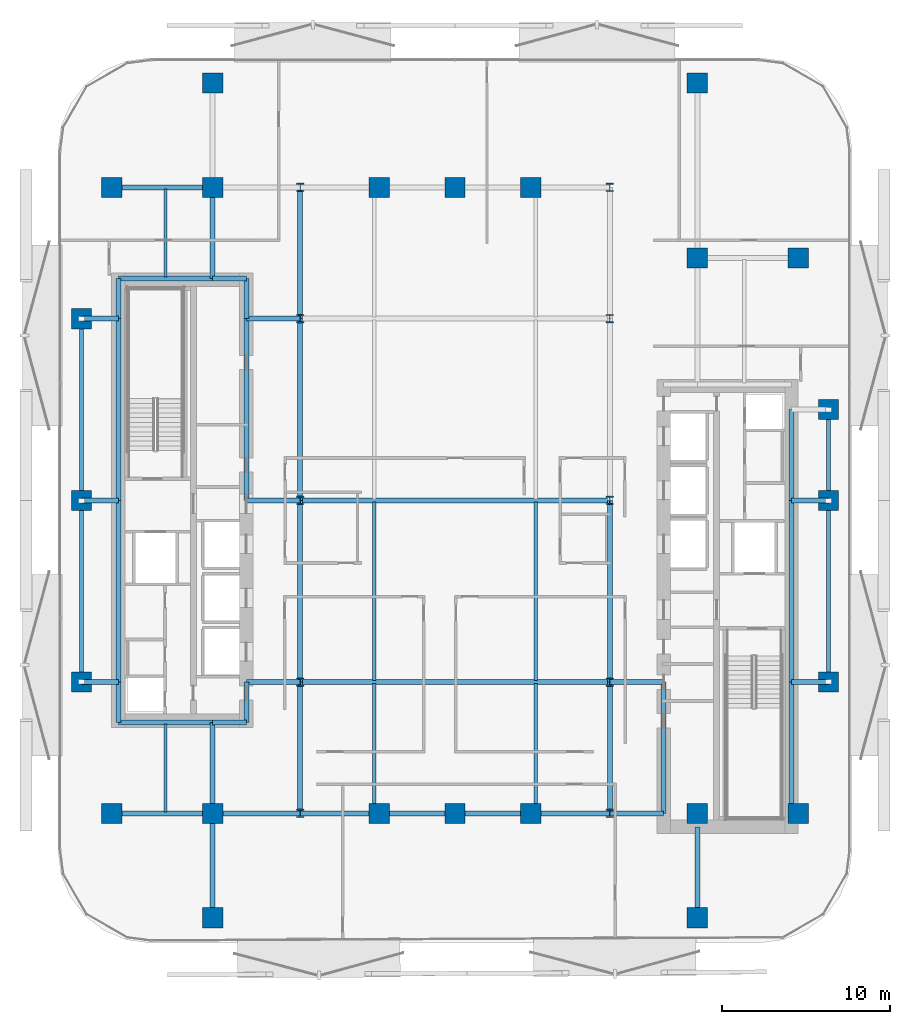
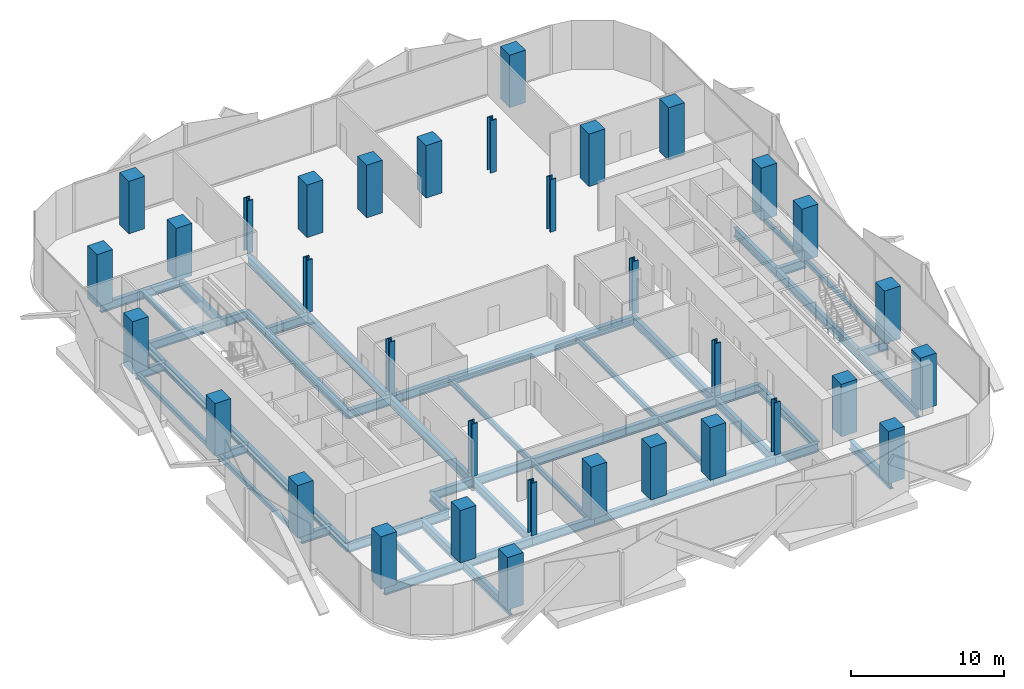
# One storey, part 1 of 15: 54 beams, 34 columns.
"""IFC4 building model written with IfcOpenShell, lengths in metres."""

from ifc_helpers import new_model, si_unit, direction, frame, origin, origin_2d, place, context, subcontext, project, spatial, rectangle, hollow_rectangle, i_section, extrude, material, material_profile, profile_set, type_object, element, save


model = new_model("IFC4")

# Units and contexts
model_context = context("Model", 3, precision=1e-05, world=origin(), true_north=direction((0.0, 1.0)))
body_context = subcontext(model_context, "Body", "Model", "MODEL_VIEW")
ifc_project = project(units=[si_unit("LENGTHUNIT", "METRE"), si_unit("AREAUNIT", "SQUARE_METRE"), si_unit("VOLUMEUNIT", "CUBIC_METRE"), si_unit("PLANEANGLEUNIT", "RADIAN"), si_unit("MASSUNIT", "GRAM", prefix="KILO")], contexts=[model_context])

# Site, building, storey
site_placement = place(None, origin())
site = spatial("IfcSite", under=ifc_project, at=site_placement, CompositionType="ELEMENT")
building_placement = place(site_placement, origin())
building = spatial("IfcBuilding", under=site, at=building_placement, Name="Khairoan Windgate Tower", CompositionType="ELEMENT")
storey_placement = place(building_placement, frame((0.0, 0.0, 131.0)))
storey = spatial("IfcBuildingStorey", under=building, at=storey_placement, Name="L30", CompositionType="ELEMENT", Elevation=131.0)

# Columns
ifc_material_1 = material(Name="Concrete C60/75", Category="concrete")
ifc_material_profile_1 = material_profile(ifc_material_1, rectangle(XDim=1.199951171875, YDim=1.199951171875, at=origin_2d()))
ifc_profile_set_1 = profile_set([ifc_material_profile_1], Name="Concrete C60/75")
column_type_1 = type_object("IfcColumnType", Name="Column C-T3 RC1200x1200", PredefinedType="COLUMN", material=ifc_profile_set_1)
for number, where, z_axis, x_axis, name in (
    (1, (-20.39990234375, -18.60009765625, 0.0), (0.0, 0.0, 1.0), (1.0, 0.0, 0.0), "Column L30-11"),
    (2, (-20.39990234375, 18.60009765625, 0.0), (0.0, 0.0, 1.0), (1.0, 0.0, 0.0), "Column L30-12"),
    (3, (20.39990234375, -18.60009765625, 0.0), (0.0, 0.0, 1.0), (1.0, 0.0, 0.0), "Column L30-13"),
    (4, (20.39990234375, 14.39990234375, 0.0), (0.0, 0.0, 1.0), (1.0, 0.0, 0.0), "Column L30-14"),
    (5, (-14.39990234375, -18.60009765625, 0.0), (0.0, 0.0, 1.0), (1.0, 0.0, 0.0), "Column L30-15"),
    (6, (-14.39990234375, 18.60009765625, 0.0), (0.0, 0.0, 1.0), (1.0, 0.0, 0.0), "Column L30-16"),
    (7, (14.39990234375, -18.60009765625, 0.0), (0.0, 0.0, 1.0), (1.0, 0.0, 0.0), "Column L30-17"),
    (8, (14.39990234375, 14.39990234375, 0.0), (0.0, 0.0, 1.0), (1.0, 0.0, 0.0), "Column L30-18"),
    (9, (-4.5, -18.60009765625, 0.0), (0.0, 0.0, 1.0), (1.0, 0.0, 0.0), "Column L30-19"),
    (10, (0.0, -18.60009765625, 0.0), (0.0, 0.0, 1.0), (1.0, 0.0, 0.0), "Column L30-20"),
    (11, (4.5, -18.60009765625, 0.0), (0.0, 0.0, 1.0), (1.0, 0.0, 0.0), "Column L30-21"),
    (12, (-4.5, 18.60009765625, 0.0), (0.0, 0.0, 1.0), (1.0, 0.0, 0.0), "Column L30-22"),
    (13, (0.0, 18.60009765625, 0.0), (0.0, 0.0, 1.0), (1.0, 0.0, 0.0), "Column L30-23"),
    (14, (4.5, 18.60009765625, 0.0), (0.0, 0.0, 1.0), (1.0, 0.0, 0.0), "Column L30-24"),
    (15, (-22.199951171875, -10.800048828125, 0.0), (0.0, 0.0, 1.0), (1.0, 0.0, 0.0), "Column L30-25"),
    (16, (-22.199951171875, 0.0, 0.0), (0.0, 0.0, 1.0), (1.0, 0.0, 0.0), "Column L30-26"),
    (17, (-22.199951171875, 10.800048828125, 0.0), (0.0, 0.0, 1.0), (1.0, 0.0, 0.0), "Column L30-27"),
    (18, (22.199951171875, -10.800048828125, 0.0), (0.0, 0.0, 1.0), (1.0, 0.0, 0.0), "Column L30-28"),
    (19, (22.199951171875, 0.0, 0.0), (0.0, 0.0, 1.0), (1.0, 0.0, 0.0), "Column L30-29"),
    (20, (22.199951171875, 5.39990234375, 0.0), (0.0, 0.0, 1.0), (1.0, 0.0, 0.0), "Column L30-30"),
    (21, (-14.39990234375, -24.800048828125, 0.0), (0.0, 0.0, 1.0), (1.0, 0.0, 0.0), "Column L30-31"),
    (22, (-14.39990234375, 24.800048828125, 0.0), (0.0, 0.0, 1.0), (1.0, 0.0, 0.0), "Column L30-32"),
    (23, (14.39990234375, -24.800048828125, 0.0), (0.0, 0.0, 1.0), (1.0, 0.0, 0.0), "Column L30-33"),
    (24, (14.39990234375, 24.800048828125, 0.0), (0.0, 0.0, 1.0), (1.0, 0.0, 0.0), "Column L30-34"),
):
    element("IfcColumn", number, at=place(storey_placement, frame(where, z_axis=z_axis, x_axis=x_axis)), inside=storey, type_object=column_type_1, Name=name, PredefinedType="COLUMN", context=body_context, shape_type="SweptSolid", body=[
        extrude(rectangle(XDim=1.199951171875, YDim=1.199951171875, at=origin_2d()), origin(), (0.0, 0.0, 1.0), 4.199951171875),
    ])
ifc_material_2 = material(Name="Steel S355", Category="steel")
ifc_material_profile_2 = material_profile(ifc_material_2, i_section(OverallWidth=0.431884765625, OverallDepth=0.498046875, WebThickness=0.044921875, FlangeThickness=0.070068359375, FilletRadius=0.02197265625, at=origin_2d()))
ifc_profile_set_2 = profile_set([ifc_material_profile_2], Name="Steel S355")
column_type_2 = type_object("IfcColumnType", Name="Steel Column SC1 H498x432x45x70", PredefinedType="COLUMN", material=ifc_profile_set_2)
for number, where, z_axis, x_axis, name in (
    (25, (-9.199951171875, -18.60009765625, 0.0), (0.0, 0.0, 1.0), (1.0, 0.0, 0.0), "Column L30-01"),
    (26, (-9.199951171875, -10.800048828125, 0.0), (0.0, 0.0, 1.0), (1.0, 0.0, 0.0), "Column L30-02"),
    (27, (-9.199951171875, 0.0, 0.0), (0.0, 0.0, 1.0), (1.0, 0.0, 0.0), "Column L30-03"),
    (28, (-9.199951171875, 10.800048828125, 0.0), (0.0, 0.0, 1.0), (1.0, 0.0, 0.0), "Column L30-04"),
    (29, (-9.199951171875, 18.60009765625, 0.0), (0.0, 0.0, 1.0), (1.0, 0.0, 0.0), "Column L30-05"),
    (30, (9.199951171875, -18.60009765625, 0.0), (0.0, 0.0, 1.0), (1.0, 0.0, 0.0), "Column L30-06"),
    (31, (9.199951171875, -10.800048828125, 0.0), (0.0, 0.0, 1.0), (1.0, 0.0, 0.0), "Column L30-07"),
    (32, (9.199951171875, 0.0, 0.0), (0.0, 0.0, 1.0), (1.0, 0.0, 0.0), "Column L30-08"),
    (33, (9.199951171875, 10.800048828125, 0.0), (0.0, 0.0, 1.0), (1.0, 0.0, 0.0), "Column L30-09"),
    (34, (9.199951171875, 18.60009765625, 0.0), (0.0, 0.0, 1.0), (1.0, 0.0, 0.0), "Column L30-10"),
):
    element("IfcColumn", number, at=place(storey_placement, frame(where, z_axis=z_axis, x_axis=x_axis)), inside=storey, type_object=column_type_2, Name=name, PredefinedType="COLUMN", context=body_context, shape_type="SweptSolid", body=[
        extrude(i_section(OverallWidth=0.431884765625, OverallDepth=0.498046875, WebThickness=0.044921875, FlangeThickness=0.070068359375, FilletRadius=0.02197265625, at=origin_2d()), origin(), (0.0, 0.0, 1.0), 4.199951171875),
    ])

# Beams
ifc_material_3 = material(Name="Steel S355", Category="steel")
ifc_material_profile_3 = material_profile(ifc_material_3, i_section(OverallWidth=0.300048828125, OverallDepth=0.699951171875, WebThickness=0.012939453125, FlangeThickness=0.02392578125, FilletRadius=0.02587890625, at=origin_2d()))
ifc_profile_set_3 = profile_set([ifc_material_profile_3], Name="Steel S355")
beam_type_1 = type_object("IfcBeamType", Name="Beam B-G3 H700x300x13x24", PredefinedType="BEAM", material=ifc_profile_set_3)
beam_1_placement = place(storey_placement, frame((-20.39990234375, -18.60009765625, -0.610107421875), z_axis=(1.0, 0.0, 0.0), x_axis=(0.0, 1.0, 0.0)))
element("IfcBeam", 35, at=beam_1_placement, inside=storey, type_object=beam_type_1, Name="L30 E-W Primary Girder 01", PredefinedType="BEAM", context=body_context, shape_type="SweptSolid", body=[
    extrude(i_section(OverallWidth=0.300048828125, OverallDepth=0.699951171875, WebThickness=0.012939453125, FlangeThickness=0.02392578125, FilletRadius=0.02587890625, at=origin_2d()), origin(), (0.0, 0.0, 1.0), 6.0),
])
beam_2_placement = place(storey_placement, frame((-14.39990234375, -18.60009765625, -0.610107421875), z_axis=(1.0, 0.0, 0.0), x_axis=(0.0, 1.0, 0.0)))
element("IfcBeam", 36, at=beam_2_placement, inside=storey, type_object=beam_type_1, Name="L30 E-W Primary Girder 02", PredefinedType="BEAM", context=body_context, shape_type="SweptSolid", body=[
    extrude(i_section(OverallWidth=0.300048828125, OverallDepth=0.699951171875, WebThickness=0.012939453125, FlangeThickness=0.02392578125, FilletRadius=0.02587890625, at=origin_2d()), origin(), (0.0, 0.0, 1.0), 5.199951171875),
])
beam_3_placement = place(storey_placement, frame((-9.199951171875, -18.60009765625, -0.610107421875), z_axis=(1.0, 0.0, 0.0), x_axis=(0.0, 1.0, 0.0)))
element("IfcBeam", 37, at=beam_3_placement, inside=storey, type_object=beam_type_1, Name="L30 E-W Primary Girder 03", PredefinedType="BEAM", context=body_context, shape_type="SweptSolid", body=[
    extrude(i_section(OverallWidth=0.300048828125, OverallDepth=0.699951171875, WebThickness=0.012939453125, FlangeThickness=0.02392578125, FilletRadius=0.02587890625, at=origin_2d()), origin(), (0.0, 0.0, 1.0), 4.699951171875),
])
for number, where, z_axis, x_axis, name in (
    (38, (-4.5, -18.60009765625, -0.610107421875), (1.0, 0.0, 0.0), (0.0, 1.0, 0.0), "L30 E-W Primary Girder 04"),
    (39, (0.0, -18.60009765625, -0.610107421875), (1.0, 0.0, 0.0), (0.0, 1.0, 0.0), "L30 E-W Primary Girder 05"),
):
    element("IfcBeam", number, at=place(storey_placement, frame(where, z_axis=z_axis, x_axis=x_axis)), inside=storey, type_object=beam_type_1, Name=name, PredefinedType="BEAM", context=body_context, shape_type="SweptSolid", body=[
        extrude(i_section(OverallWidth=0.300048828125, OverallDepth=0.699951171875, WebThickness=0.012939453125, FlangeThickness=0.02392578125, FilletRadius=0.02587890625, at=origin_2d()), origin(), (0.0, 0.0, 1.0), 4.5),
    ])
beam_4_placement = place(storey_placement, frame((4.5, -18.60009765625, -0.610107421875), z_axis=(1.0, 0.0, 0.0), x_axis=(0.0, 1.0, 0.0)))
element("IfcBeam", 40, at=beam_4_placement, inside=storey, type_object=beam_type_1, Name="L30 E-W Primary Girder 06", PredefinedType="BEAM", context=body_context, shape_type="SweptSolid", body=[
    extrude(i_section(OverallWidth=0.300048828125, OverallDepth=0.699951171875, WebThickness=0.012939453125, FlangeThickness=0.02392578125, FilletRadius=0.02587890625, at=origin_2d()), origin(), (0.0, 0.0, 1.0), 4.699951171875),
])
beam_5_placement = place(storey_placement, frame((9.199951171875, -18.60009765625, -0.610107421875), z_axis=(1.0, 0.0, 0.0), x_axis=(0.0, 1.0, 0.0)))
element("IfcBeam", 41, at=beam_5_placement, inside=storey, type_object=beam_type_1, Name="L30 E-W Primary Girder 07", PredefinedType="BEAM", context=body_context, shape_type="SweptSolid", body=[
    extrude(i_section(OverallWidth=0.300048828125, OverallDepth=0.699951171875, WebThickness=0.012939453125, FlangeThickness=0.02392578125, FilletRadius=0.02587890625, at=origin_2d()), origin(), (0.0, 0.0, 1.0), 3.199951171875),
])
beam_6_placement = place(storey_placement, frame((-20.0, -13.199951171875, -0.610107421875), z_axis=(1.0, 0.0, 0.0), x_axis=(0.0, 1.0, 0.0)))
element("IfcBeam", 42, at=beam_6_placement, inside=storey, type_object=beam_type_1, Name="L30 E-W Primary Girder 08", PredefinedType="BEAM", context=body_context, shape_type="SweptSolid", body=[
    extrude(i_section(OverallWidth=0.300048828125, OverallDepth=0.699951171875, WebThickness=0.012939453125, FlangeThickness=0.02392578125, FilletRadius=0.02587890625, at=origin_2d()), origin(), (0.0, 0.0, 1.0), 5.60009765625),
])
beam_7_placement = place(storey_placement, frame((-14.39990234375, -13.199951171875, -0.610107421875), z_axis=(1.0, 0.0, 0.0), x_axis=(0.0, 1.0, 0.0)))
element("IfcBeam", 43, at=beam_7_placement, inside=storey, type_object=beam_type_1, Name="L30 E-W Primary Girder 09", PredefinedType="BEAM", context=body_context, shape_type="SweptSolid", body=[
    extrude(i_section(OverallWidth=0.300048828125, OverallDepth=0.699951171875, WebThickness=0.012939453125, FlangeThickness=0.02392578125, FilletRadius=0.02587890625, at=origin_2d()), origin(), (0.0, 0.0, 1.0), 2.0),
])
beam_8_placement = place(storey_placement, frame((-22.199951171875, -10.800048828125, -0.610107421875), z_axis=(1.0, 0.0, 0.0), x_axis=(0.0, 1.0, 0.0)))
element("IfcBeam", 44, at=beam_8_placement, inside=storey, type_object=beam_type_1, Name="L30 E-W Primary Girder 10", PredefinedType="BEAM", context=body_context, shape_type="SweptSolid", body=[
    extrude(i_section(OverallWidth=0.300048828125, OverallDepth=0.699951171875, WebThickness=0.012939453125, FlangeThickness=0.02392578125, FilletRadius=0.02587890625, at=origin_2d()), origin(), (0.0, 0.0, 1.0), 2.199951171875),
])
beam_9_placement = place(storey_placement, frame((-12.39990234375, -10.800048828125, -0.610107421875), z_axis=(1.0, 0.0, 0.0), x_axis=(0.0, 1.0, 0.0)))
element("IfcBeam", 45, at=beam_9_placement, inside=storey, type_object=beam_type_1, Name="L30 E-W Primary Girder 11", PredefinedType="BEAM", context=body_context, shape_type="SweptSolid", body=[
    extrude(i_section(OverallWidth=0.300048828125, OverallDepth=0.699951171875, WebThickness=0.012939453125, FlangeThickness=0.02392578125, FilletRadius=0.02587890625, at=origin_2d()), origin(), (0.0, 0.0, 1.0), 3.199951171875),
])
beam_10_placement = place(storey_placement, frame((-9.199951171875, -10.800048828125, -0.610107421875), z_axis=(1.0, 0.0, 0.0), x_axis=(0.0, 1.0, 0.0)))
element("IfcBeam", 46, at=beam_10_placement, inside=storey, type_object=beam_type_1, Name="L30 E-W Primary Girder 12", PredefinedType="BEAM", context=body_context, shape_type="SweptSolid", body=[
    extrude(i_section(OverallWidth=0.300048828125, OverallDepth=0.699951171875, WebThickness=0.012939453125, FlangeThickness=0.02392578125, FilletRadius=0.02587890625, at=origin_2d()), origin(), (0.0, 0.0, 1.0), 18.39990234375),
])
beam_11_placement = place(storey_placement, frame((9.199951171875, -10.800048828125, -0.610107421875), z_axis=(1.0, 0.0, 0.0), x_axis=(0.0, 1.0, 0.0)))
element("IfcBeam", 47, at=beam_11_placement, inside=storey, type_object=beam_type_1, Name="L30 E-W Primary Girder 13", PredefinedType="BEAM", context=body_context, shape_type="SweptSolid", body=[
    extrude(i_section(OverallWidth=0.300048828125, OverallDepth=0.699951171875, WebThickness=0.012939453125, FlangeThickness=0.02392578125, FilletRadius=0.02587890625, at=origin_2d()), origin(), (0.0, 0.0, 1.0), 3.199951171875),
])
for number, where, z_axis, x_axis, name in (
    (48, (20.0, -10.800048828125, -0.610107421875), (1.0, 0.0, 0.0), (0.0, 1.0, 0.0), "L30 E-W Primary Girder 14"),
    (49, (-22.199951171875, 0.0, -0.610107421875), (1.0, 0.0, 0.0), (0.0, 1.0, 0.0), "L30 E-W Primary Girder 15"),
):
    element("IfcBeam", number, at=place(storey_placement, frame(where, z_axis=z_axis, x_axis=x_axis)), inside=storey, type_object=beam_type_1, Name=name, PredefinedType="BEAM", context=body_context, shape_type="SweptSolid", body=[
        extrude(i_section(OverallWidth=0.300048828125, OverallDepth=0.699951171875, WebThickness=0.012939453125, FlangeThickness=0.02392578125, FilletRadius=0.02587890625, at=origin_2d()), origin(), (0.0, 0.0, 1.0), 2.199951171875),
    ])
beam_12_placement = place(storey_placement, frame((-12.39990234375, 0.0, -0.610107421875), z_axis=(1.0, 0.0, 0.0), x_axis=(0.0, 1.0, 0.0)))
element("IfcBeam", 50, at=beam_12_placement, inside=storey, type_object=beam_type_1, Name="L30 E-W Primary Girder 16", PredefinedType="BEAM", context=body_context, shape_type="SweptSolid", body=[
    extrude(i_section(OverallWidth=0.300048828125, OverallDepth=0.699951171875, WebThickness=0.012939453125, FlangeThickness=0.02392578125, FilletRadius=0.02587890625, at=origin_2d()), origin(), (0.0, 0.0, 1.0), 3.199951171875),
])
beam_13_placement = place(storey_placement, frame((-9.199951171875, 0.0, -0.610107421875), z_axis=(1.0, 0.0, 0.0), x_axis=(0.0, 1.0, 0.0)))
element("IfcBeam", 51, at=beam_13_placement, inside=storey, type_object=beam_type_1, Name="L30 E-W Primary Girder 17", PredefinedType="BEAM", context=body_context, shape_type="SweptSolid", body=[
    extrude(i_section(OverallWidth=0.300048828125, OverallDepth=0.699951171875, WebThickness=0.012939453125, FlangeThickness=0.02392578125, FilletRadius=0.02587890625, at=origin_2d()), origin(), (0.0, 0.0, 1.0), 18.39990234375),
])
for number, where, z_axis, x_axis, name in (
    (52, (20.0, 0.0, -0.610107421875), (1.0, 0.0, 0.0), (0.0, 1.0, 0.0), "L30 E-W Primary Girder 18"),
    (53, (-22.199951171875, 10.800048828125, -0.610107421875), (1.0, 0.0, 0.0), (0.0, 1.0, 0.0), "L30 E-W Primary Girder 22"),
):
    element("IfcBeam", number, at=place(storey_placement, frame(where, z_axis=z_axis, x_axis=x_axis)), inside=storey, type_object=beam_type_1, Name=name, PredefinedType="BEAM", context=body_context, shape_type="SweptSolid", body=[
        extrude(i_section(OverallWidth=0.300048828125, OverallDepth=0.699951171875, WebThickness=0.012939453125, FlangeThickness=0.02392578125, FilletRadius=0.02587890625, at=origin_2d()), origin(), (0.0, 0.0, 1.0), 2.199951171875),
    ])
beam_14_placement = place(storey_placement, frame((-12.39990234375, 10.800048828125, -0.610107421875), z_axis=(1.0, 0.0, 0.0), x_axis=(0.0, 1.0, 0.0)))
element("IfcBeam", 54, at=beam_14_placement, inside=storey, type_object=beam_type_1, Name="L30 E-W Primary Girder 23", PredefinedType="BEAM", context=body_context, shape_type="SweptSolid", body=[
    extrude(i_section(OverallWidth=0.300048828125, OverallDepth=0.699951171875, WebThickness=0.012939453125, FlangeThickness=0.02392578125, FilletRadius=0.02587890625, at=origin_2d()), origin(), (0.0, 0.0, 1.0), 3.199951171875),
])
beam_15_placement = place(storey_placement, frame((-20.0, 13.199951171875, -0.610107421875), z_axis=(1.0, 0.0, 0.0), x_axis=(0.0, 1.0, 0.0)))
element("IfcBeam", 55, at=beam_15_placement, inside=storey, type_object=beam_type_1, Name="L30 E-W Primary Girder 25", PredefinedType="BEAM", context=body_context, shape_type="SweptSolid", body=[
    extrude(i_section(OverallWidth=0.300048828125, OverallDepth=0.699951171875, WebThickness=0.012939453125, FlangeThickness=0.02392578125, FilletRadius=0.02587890625, at=origin_2d()), origin(), (0.0, 0.0, 1.0), 5.60009765625),
])
beam_16_placement = place(storey_placement, frame((-14.39990234375, 13.199951171875, -0.610107421875), z_axis=(1.0, 0.0, 0.0), x_axis=(0.0, 1.0, 0.0)))
element("IfcBeam", 56, at=beam_16_placement, inside=storey, type_object=beam_type_1, Name="L30 E-W Primary Girder 26", PredefinedType="BEAM", context=body_context, shape_type="SweptSolid", body=[
    extrude(i_section(OverallWidth=0.300048828125, OverallDepth=0.699951171875, WebThickness=0.012939453125, FlangeThickness=0.02392578125, FilletRadius=0.02587890625, at=origin_2d()), origin(), (0.0, 0.0, 1.0), 2.0),
])
beam_17_placement = place(storey_placement, frame((-20.39990234375, 18.60009765625, -0.610107421875), z_axis=(1.0, 0.0, 0.0), x_axis=(0.0, 1.0, 0.0)))
element("IfcBeam", 57, at=beam_17_placement, inside=storey, type_object=beam_type_1, Name="L30 E-W Primary Girder 28", PredefinedType="BEAM", context=body_context, shape_type="SweptSolid", body=[
    extrude(i_section(OverallWidth=0.300048828125, OverallDepth=0.699951171875, WebThickness=0.012939453125, FlangeThickness=0.02392578125, FilletRadius=0.02587890625, at=origin_2d()), origin(), (0.0, 0.0, 1.0), 6.0),
])
beam_18_placement = place(storey_placement, frame((-20.0, -13.199951171875, -0.610107421875), z_axis=(0.0, 1.0, 0.0), x_axis=(-1.0, 0.0, 0.0)))
element("IfcBeam", 58, at=beam_18_placement, inside=storey, type_object=beam_type_1, Name="L30 N-S Primary Beam 36", PredefinedType="BEAM", context=body_context, shape_type="SweptSolid", body=[
    extrude(i_section(OverallWidth=0.300048828125, OverallDepth=0.699951171875, WebThickness=0.012939453125, FlangeThickness=0.02392578125, FilletRadius=0.02587890625, at=origin_2d()), origin(), (0.0, 0.0, 1.0), 2.39990234375),
])
for number, where, z_axis, x_axis, name in (
    (59, (-20.0, -10.800048828125, -0.610107421875), (0.0, 1.0, 0.0), (-1.0, 0.0, 0.0), "L30 N-S Primary Beam 37"),
    (60, (-20.0, 0.0, -0.610107421875), (0.0, 1.0, 0.0), (-1.0, 0.0, 0.0), "L30 N-S Primary Beam 38"),
):
    element("IfcBeam", number, at=place(storey_placement, frame(where, z_axis=z_axis, x_axis=x_axis)), inside=storey, type_object=beam_type_1, Name=name, PredefinedType="BEAM", context=body_context, shape_type="SweptSolid", body=[
        extrude(i_section(OverallWidth=0.300048828125, OverallDepth=0.699951171875, WebThickness=0.012939453125, FlangeThickness=0.02392578125, FilletRadius=0.02587890625, at=origin_2d()), origin(), (0.0, 0.0, 1.0), 10.800048828125),
    ])
beam_19_placement = place(storey_placement, frame((-20.0, 10.800048828125, -0.610107421875), z_axis=(0.0, 1.0, 0.0), x_axis=(-1.0, 0.0, 0.0)))
element("IfcBeam", 61, at=beam_19_placement, inside=storey, type_object=beam_type_1, Name="L30 N-S Primary Beam 39", PredefinedType="BEAM", context=body_context, shape_type="SweptSolid", body=[
    extrude(i_section(OverallWidth=0.300048828125, OverallDepth=0.699951171875, WebThickness=0.012939453125, FlangeThickness=0.02392578125, FilletRadius=0.02587890625, at=origin_2d()), origin(), (0.0, 0.0, 1.0), 2.39990234375),
])
beam_20_placement = place(storey_placement, frame((-14.39990234375, -24.800048828125, -0.610107421875), z_axis=(0.0, 1.0, 0.0), x_axis=(-1.0, 0.0, 0.0)))
element("IfcBeam", 62, at=beam_20_placement, inside=storey, type_object=beam_type_1, Name="L30 N-S Primary Beam 40", PredefinedType="BEAM", context=body_context, shape_type="SweptSolid", body=[
    extrude(i_section(OverallWidth=0.300048828125, OverallDepth=0.699951171875, WebThickness=0.012939453125, FlangeThickness=0.02392578125, FilletRadius=0.02587890625, at=origin_2d()), origin(), (0.0, 0.0, 1.0), 6.199951171875),
])
for number, where, z_axis, x_axis, name in (
    (63, (-14.39990234375, -18.60009765625, -0.610107421875), (0.0, 1.0, 0.0), (-1.0, 0.0, 0.0), "L30 N-S Primary Beam 41"),
    (64, (-14.39990234375, 13.199951171875, -0.610107421875), (0.0, 1.0, 0.0), (-1.0, 0.0, 0.0), "L30 N-S Primary Beam 42"),
):
    element("IfcBeam", number, at=place(storey_placement, frame(where, z_axis=z_axis, x_axis=x_axis)), inside=storey, type_object=beam_type_1, Name=name, PredefinedType="BEAM", context=body_context, shape_type="SweptSolid", body=[
        extrude(i_section(OverallWidth=0.300048828125, OverallDepth=0.699951171875, WebThickness=0.012939453125, FlangeThickness=0.02392578125, FilletRadius=0.02587890625, at=origin_2d()), origin(), (0.0, 0.0, 1.0), 5.400146484375),
    ])
beam_21_placement = place(storey_placement, frame((-12.39990234375, -13.199951171875, -0.610107421875), z_axis=(0.0, 1.0, 0.0), x_axis=(-1.0, 0.0, 0.0)))
element("IfcBeam", 65, at=beam_21_placement, inside=storey, type_object=beam_type_1, Name="L30 N-S Primary Beam 44", PredefinedType="BEAM", context=body_context, shape_type="SweptSolid", body=[
    extrude(i_section(OverallWidth=0.300048828125, OverallDepth=0.699951171875, WebThickness=0.012939453125, FlangeThickness=0.02392578125, FilletRadius=0.02587890625, at=origin_2d()), origin(), (0.0, 0.0, 1.0), 2.39990234375),
])
beam_22_placement = place(storey_placement, frame((-12.39990234375, 0.0, -0.610107421875), z_axis=(0.0, 1.0, 0.0), x_axis=(-1.0, 0.0, 0.0)))
element("IfcBeam", 66, at=beam_22_placement, inside=storey, type_object=beam_type_1, Name="L30 N-S Primary Beam 45", PredefinedType="BEAM", context=body_context, shape_type="SweptSolid", body=[
    extrude(i_section(OverallWidth=0.300048828125, OverallDepth=0.699951171875, WebThickness=0.012939453125, FlangeThickness=0.02392578125, FilletRadius=0.02587890625, at=origin_2d()), origin(), (0.0, 0.0, 1.0), 10.800048828125),
])
beam_23_placement = place(storey_placement, frame((-12.39990234375, 10.800048828125, -0.610107421875), z_axis=(0.0, 1.0, 0.0), x_axis=(-1.0, 0.0, 0.0)))
element("IfcBeam", 67, at=beam_23_placement, inside=storey, type_object=beam_type_1, Name="L30 N-S Primary Beam 46", PredefinedType="BEAM", context=body_context, shape_type="SweptSolid", body=[
    extrude(i_section(OverallWidth=0.300048828125, OverallDepth=0.699951171875, WebThickness=0.012939453125, FlangeThickness=0.02392578125, FilletRadius=0.02587890625, at=origin_2d()), origin(), (0.0, 0.0, 1.0), 2.39990234375),
])
beam_24_placement = place(storey_placement, frame((-9.199951171875, -18.60009765625, -0.610107421875), z_axis=(0.0, 1.0, 0.0), x_axis=(-1.0, 0.0, 0.0)))
element("IfcBeam", 68, at=beam_24_placement, inside=storey, type_object=beam_type_1, Name="L30 N-S Primary Beam 47", PredefinedType="BEAM", context=body_context, shape_type="SweptSolid", body=[
    extrude(i_section(OverallWidth=0.300048828125, OverallDepth=0.699951171875, WebThickness=0.012939453125, FlangeThickness=0.02392578125, FilletRadius=0.02587890625, at=origin_2d()), origin(), (0.0, 0.0, 1.0), 7.800048828125),
])
for number, where, z_axis, x_axis, name in (
    (69, (-9.199951171875, -10.800048828125, -0.610107421875), (0.0, 1.0, 0.0), (-1.0, 0.0, 0.0), "L30 N-S Primary Beam 48"),
    (70, (-9.199951171875, 0.0, -0.610107421875), (0.0, 1.0, 0.0), (-1.0, 0.0, 0.0), "L30 N-S Primary Beam 49"),
):
    element("IfcBeam", number, at=place(storey_placement, frame(where, z_axis=z_axis, x_axis=x_axis)), inside=storey, type_object=beam_type_1, Name=name, PredefinedType="BEAM", context=body_context, shape_type="SweptSolid", body=[
        extrude(i_section(OverallWidth=0.300048828125, OverallDepth=0.699951171875, WebThickness=0.012939453125, FlangeThickness=0.02392578125, FilletRadius=0.02587890625, at=origin_2d()), origin(), (0.0, 0.0, 1.0), 10.800048828125),
    ])
for number, where, z_axis, x_axis, name in (
    (71, (-9.199951171875, 10.800048828125, -0.610107421875), (0.0, 1.0, 0.0), (-1.0, 0.0, 0.0), "L30 N-S Primary Beam 50"),
    (72, (9.199951171875, -18.60009765625, -0.610107421875), (0.0, 1.0, 0.0), (-1.0, 0.0, 0.0), "L30 N-S Primary Beam 51"),
):
    element("IfcBeam", number, at=place(storey_placement, frame(where, z_axis=z_axis, x_axis=x_axis)), inside=storey, type_object=beam_type_1, Name=name, PredefinedType="BEAM", context=body_context, shape_type="SweptSolid", body=[
        extrude(i_section(OverallWidth=0.300048828125, OverallDepth=0.699951171875, WebThickness=0.012939453125, FlangeThickness=0.02392578125, FilletRadius=0.02587890625, at=origin_2d()), origin(), (0.0, 0.0, 1.0), 7.800048828125),
    ])
beam_25_placement = place(storey_placement, frame((9.199951171875, -10.800048828125, -0.610107421875), z_axis=(0.0, 1.0, 0.0), x_axis=(-1.0, 0.0, 0.0)))
element("IfcBeam", 73, at=beam_25_placement, inside=storey, type_object=beam_type_1, Name="L30 N-S Primary Beam 52", PredefinedType="BEAM", context=body_context, shape_type="SweptSolid", body=[
    extrude(i_section(OverallWidth=0.300048828125, OverallDepth=0.699951171875, WebThickness=0.012939453125, FlangeThickness=0.02392578125, FilletRadius=0.02587890625, at=origin_2d()), origin(), (0.0, 0.0, 1.0), 10.800048828125),
])
beam_26_placement = place(storey_placement, frame((12.39990234375, -18.60009765625, -0.610107421875), z_axis=(0.0, 1.0, 0.0), x_axis=(-1.0, 0.0, 0.0)))
element("IfcBeam", 74, at=beam_26_placement, inside=storey, type_object=beam_type_1, Name="L30 N-S Primary Beam 55", PredefinedType="BEAM", context=body_context, shape_type="SweptSolid", body=[
    extrude(i_section(OverallWidth=0.300048828125, OverallDepth=0.699951171875, WebThickness=0.012939453125, FlangeThickness=0.02392578125, FilletRadius=0.02587890625, at=origin_2d()), origin(), (0.0, 0.0, 1.0), 7.800048828125),
])
beam_27_placement = place(storey_placement, frame((14.39990234375, -24.800048828125, -0.610107421875), z_axis=(0.0, 1.0, 0.0), x_axis=(-1.0, 0.0, 0.0)))
element("IfcBeam", 75, at=beam_27_placement, inside=storey, type_object=beam_type_1, Name="L30 N-S Primary Beam 56", PredefinedType="BEAM", context=body_context, shape_type="SweptSolid", body=[
    extrude(i_section(OverallWidth=0.300048828125, OverallDepth=0.699951171875, WebThickness=0.012939453125, FlangeThickness=0.02392578125, FilletRadius=0.02587890625, at=origin_2d()), origin(), (0.0, 0.0, 1.0), 5.400146484375),
])
beam_28_placement = place(storey_placement, frame((20.0, -18.60009765625, -0.610107421875), z_axis=(0.0, 1.0, 0.0), x_axis=(-1.0, 0.0, 0.0)))
element("IfcBeam", 76, at=beam_28_placement, inside=storey, type_object=beam_type_1, Name="L30 N-S Primary Beam 59", PredefinedType="BEAM", context=body_context, shape_type="SweptSolid", body=[
    extrude(i_section(OverallWidth=0.300048828125, OverallDepth=0.699951171875, WebThickness=0.012939453125, FlangeThickness=0.02392578125, FilletRadius=0.02587890625, at=origin_2d()), origin(), (0.0, 0.0, 1.0), 7.800048828125),
])
beam_29_placement = place(storey_placement, frame((20.0, -10.800048828125, -0.610107421875), z_axis=(0.0, 1.0, 0.0), x_axis=(-1.0, 0.0, 0.0)))
element("IfcBeam", 77, at=beam_29_placement, inside=storey, type_object=beam_type_1, Name="L30 N-S Primary Beam 60", PredefinedType="BEAM", context=body_context, shape_type="SweptSolid", body=[
    extrude(i_section(OverallWidth=0.300048828125, OverallDepth=0.699951171875, WebThickness=0.012939453125, FlangeThickness=0.02392578125, FilletRadius=0.02587890625, at=origin_2d()), origin(), (0.0, 0.0, 1.0), 10.800048828125),
])
beam_30_placement = place(storey_placement, frame((20.0, 0.0, -0.610107421875), z_axis=(0.0, 1.0, 0.0), x_axis=(-1.0, 0.0, 0.0)))
element("IfcBeam", 78, at=beam_30_placement, inside=storey, type_object=beam_type_1, Name="L30 N-S Primary Beam 61", PredefinedType="BEAM", context=body_context, shape_type="SweptSolid", body=[
    extrude(i_section(OverallWidth=0.300048828125, OverallDepth=0.699951171875, WebThickness=0.012939453125, FlangeThickness=0.02392578125, FilletRadius=0.02587890625, at=origin_2d()), origin(), (0.0, 0.0, 1.0), 5.39990234375),
])
ifc_material_4 = material(Name="Steel S355", Category="steel")
ifc_material_profile_4 = material_profile(ifc_material_4, i_section(OverallWidth=0.199951171875, OverallDepth=0.449951171875, WebThickness=0.009033203125, FlangeThickness=0.013916015625, FilletRadius=0.01806640625, at=origin_2d()))
ifc_profile_set_4 = profile_set([ifc_material_profile_4], Name="Steel S355")
beam_type_2 = type_object("IfcBeamType", Name="Beam J-S3 H450x200x9x14", PredefinedType="JOIST", material=ifc_profile_set_4)
for number, where, z_axis, x_axis, name in (
    (79, (-17.199951171875, -18.510009765625, -0.485107421875), (0.0, 1.0, 0.0), (-1.0, 0.0, 0.0), "L30 Secondary Floor Joist 01"),
    (80, (-17.199951171875, 13.2900390625, -0.485107421875), (0.0, 1.0, 0.0), (-1.0, 0.0, 0.0), "L30 Secondary Floor Joist 02"),
):
    element("IfcBeam", number, at=place(storey_placement, frame(where, z_axis=z_axis, x_axis=x_axis)), inside=storey, type_object=beam_type_2, Name=name, PredefinedType="JOIST", context=body_context, shape_type="SweptSolid", body=[
        extrude(i_section(OverallWidth=0.199951171875, OverallDepth=0.449951171875, WebThickness=0.009033203125, FlangeThickness=0.013916015625, FilletRadius=0.01806640625, at=origin_2d()), origin(), (0.0, 0.0, 1.0), 5.219970703125),
    ])
beam_31_placement = place(storey_placement, frame((-4.800048828125, -18.510009765625, -0.485107421875), z_axis=(0.0, 1.0, 0.0), x_axis=(-1.0, 0.0, 0.0)))
element("IfcBeam", 81, at=beam_31_placement, inside=storey, type_object=beam_type_2, Name="L30 Secondary Floor Joist 03", PredefinedType="JOIST", context=body_context, shape_type="SweptSolid", body=[
    extrude(i_section(OverallWidth=0.199951171875, OverallDepth=0.449951171875, WebThickness=0.009033203125, FlangeThickness=0.013916015625, FilletRadius=0.01806640625, at=origin_2d()), origin(), (0.0, 0.0, 1.0), 7.6201171875),
])
beam_32_placement = place(storey_placement, frame((-4.800048828125, -10.7099609375, -0.485107421875), z_axis=(0.0, 1.0, 0.0), x_axis=(-1.0, 0.0, 0.0)))
element("IfcBeam", 82, at=beam_32_placement, inside=storey, type_object=beam_type_2, Name="L30 Secondary Floor Joist 04", PredefinedType="JOIST", context=body_context, shape_type="SweptSolid", body=[
    extrude(i_section(OverallWidth=0.199951171875, OverallDepth=0.449951171875, WebThickness=0.009033203125, FlangeThickness=0.013916015625, FilletRadius=0.01806640625, at=origin_2d()), origin(), (0.0, 0.0, 1.0), 10.619873046875),
])
beam_33_placement = place(storey_placement, frame((4.800048828125, -18.510009765625, -0.485107421875), z_axis=(0.0, 1.0, 0.0), x_axis=(-1.0, 0.0, 0.0)))
element("IfcBeam", 83, at=beam_33_placement, inside=storey, type_object=beam_type_2, Name="L30 Secondary Floor Joist 07", PredefinedType="JOIST", context=body_context, shape_type="SweptSolid", body=[
    extrude(i_section(OverallWidth=0.199951171875, OverallDepth=0.449951171875, WebThickness=0.009033203125, FlangeThickness=0.013916015625, FilletRadius=0.01806640625, at=origin_2d()), origin(), (0.0, 0.0, 1.0), 7.6201171875),
])
beam_34_placement = place(storey_placement, frame((4.800048828125, -10.7099609375, -0.485107421875), z_axis=(0.0, 1.0, 0.0), x_axis=(-1.0, 0.0, 0.0)))
element("IfcBeam", 84, at=beam_34_placement, inside=storey, type_object=beam_type_2, Name="L30 Secondary Floor Joist 08", PredefinedType="JOIST", context=body_context, shape_type="SweptSolid", body=[
    extrude(i_section(OverallWidth=0.199951171875, OverallDepth=0.449951171875, WebThickness=0.009033203125, FlangeThickness=0.013916015625, FilletRadius=0.01806640625, at=origin_2d()), origin(), (0.0, 0.0, 1.0), 10.619873046875),
])
ifc_material_5 = material(Name="Steel S355", Category="steel")
ifc_material_profile_5 = material_profile(ifc_material_5, hollow_rectangle(XDim=0.25, YDim=0.35009765625, WallThickness=0.012451171875, InnerFilletRadius=0.012451171875, OuterFilletRadius=0.02490234375, at=origin_2d()))
ifc_profile_set_5 = profile_set([ifc_material_profile_5], Name="Steel S355")
beam_type_3 = type_object("IfcBeamType", Name="Beam SP-B2 RHS350x250x12.5", PredefinedType="SPANDREL", material=ifc_profile_set_5)
for number, where, z_axis, x_axis, name in (
    (85, (-22.199951171875, -10.800048828125, -0.43505859375), (0.0, 1.0, 0.0), (-1.0, 0.0, 0.0), "L30 Spandrel Beam 34"),
    (86, (-22.199951171875, 0.0, -0.43505859375), (0.0, 1.0, 0.0), (-1.0, 0.0, 0.0), "L30 Spandrel Beam 35"),
    (87, (22.199951171875, -10.800048828125, -0.43505859375), (0.0, 1.0, 0.0), (-1.0, 0.0, 0.0), "L30 Spandrel Beam 62"),
):
    element("IfcBeam", number, at=place(storey_placement, frame(where, z_axis=z_axis, x_axis=x_axis)), inside=storey, type_object=beam_type_3, Name=name, PredefinedType="SPANDREL", context=body_context, shape_type="SweptSolid", body=[
        extrude(hollow_rectangle(XDim=0.25, YDim=0.35009765625, WallThickness=0.012451171875, InnerFilletRadius=0.012451171875, OuterFilletRadius=0.02490234375, at=origin_2d()), origin(), (0.0, 0.0, 1.0), 10.800048828125),
    ])
beam_35_placement = place(storey_placement, frame((22.199951171875, 0.0, -0.43505859375), z_axis=(0.0, 1.0, 0.0), x_axis=(-1.0, 0.0, 0.0)))
element("IfcBeam", 88, at=beam_35_placement, inside=storey, type_object=beam_type_3, Name="L30 Spandrel Beam 63", PredefinedType="SPANDREL", context=body_context, shape_type="SweptSolid", body=[
    extrude(hollow_rectangle(XDim=0.25, YDim=0.35009765625, WallThickness=0.012451171875, InnerFilletRadius=0.012451171875, OuterFilletRadius=0.02490234375, at=origin_2d()), origin(), (0.0, 0.0, 1.0), 5.39990234375),
])

save(model, "model.ifc")
